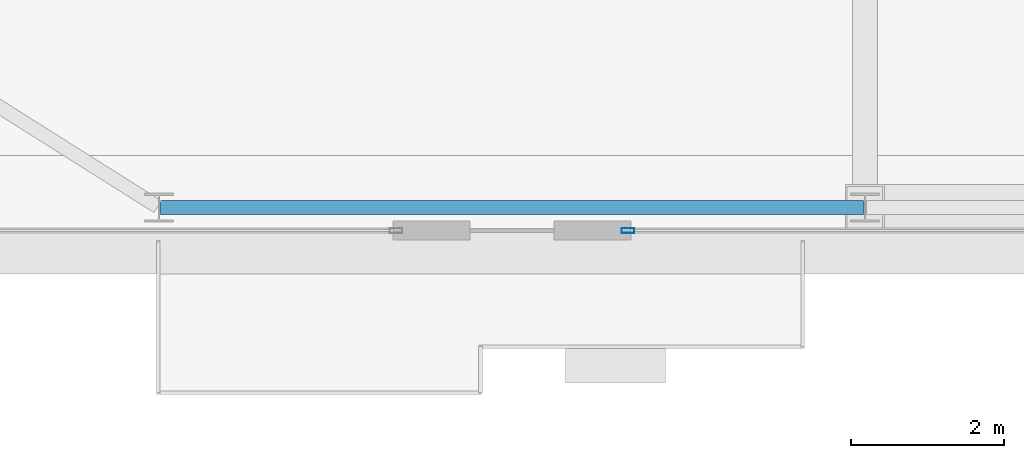
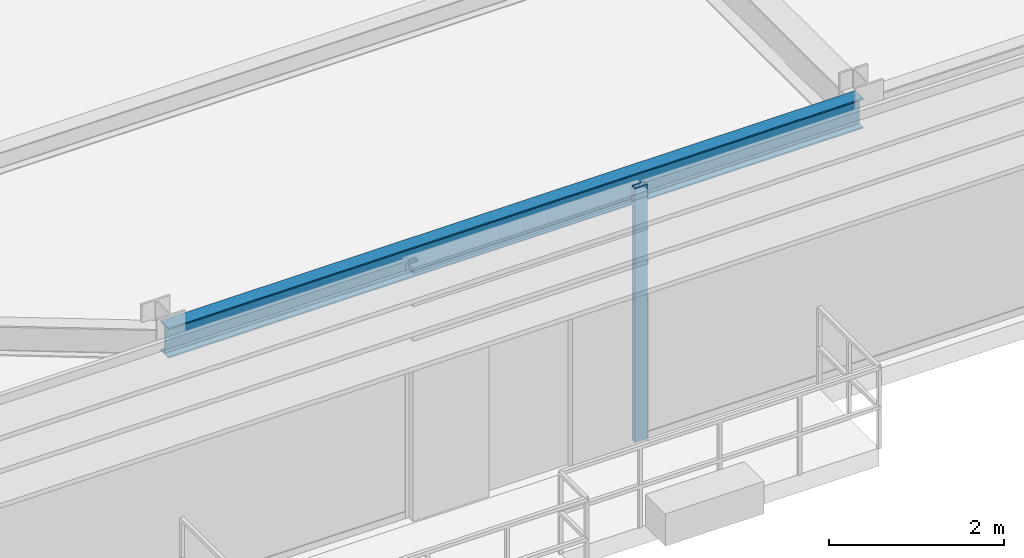
# One storey, part 6 of 32: 1 beam, 1 member, 1 element without a shape of its own.
"""IFC4 building model written with IfcOpenShell, lengths in metres."""

from ifc_helpers import new_model, si_unit, direction, frame, origin, origin_2d, place, context, subcontext, project, spatial, hollow_rectangle, i_section, extrude, source, transform, mapped, material, layer, layer_set, material_profile, profile_set, type_object, type_shapes, element, aggregate, save


model = new_model("IFC4")

# Units and contexts
model_context = context("Model", 3, precision=1e-05, world=origin(), true_north=direction((0.0, 1.0)))
body_context = subcontext(model_context, "Body", "Model", "MODEL_VIEW")
ifc_project = project(units=[si_unit("LENGTHUNIT", "METRE"), si_unit("AREAUNIT", "SQUARE_METRE"), si_unit("VOLUMEUNIT", "CUBIC_METRE"), si_unit("PLANEANGLEUNIT", "RADIAN"), si_unit("MASSUNIT", "GRAM", prefix="KILO")], contexts=[model_context])

# Site, building, storey
site_placement = place(None, origin())
site = spatial("IfcSite", under=ifc_project, at=site_placement, CompositionType="ELEMENT")
building_placement = place(site_placement, origin())
building = spatial("IfcBuilding", under=site, at=building_placement, Name="Varnel Quay Broadcast Tower", CompositionType="ELEMENT")
storey_placement = place(building_placement, frame((0.0, 0.0, 164.800048828125)))
storey = spatial("IfcBuildingStorey", under=building, at=storey_placement, Name="L40", CompositionType="ELEMENT", Elevation=164.800048828125)

# Beam
ifc_material_1 = material(Name="Structural Steel CSA G40.21 350W", Category="steel")
ifc_material_profile_1 = material_profile(ifc_material_1, i_section(OverallWidth=0.180908203125, OverallDepth=0.4169921875, WebThickness=0.010986328125, FlangeThickness=0.018310546875, FilletRadius=0.011962890625, at=origin_2d()), Name="W410X85")
ifc_profile_set_1 = profile_set([ifc_material_profile_1], Name="Structural Steel CSA G40.21 350W")
beam_type = type_object("IfcBeamType", Name="Beam_W410X85", PredefinedType="SPANDREL", material=ifc_profile_set_1)
shared_shape_1 = source(origin(), body_context, "Body", "SweptSolid", [
    extrude(i_section(OverallWidth=0.180908203125, OverallDepth=0.4169921875, WebThickness=0.010986328125, FlangeThickness=0.018310546875, FilletRadius=0.011962890625, at=origin_2d()), origin(), (0.0, 0.0, 1.0), 9.159912109375),
])
type_shapes(beam_type, [shared_shape_1])
beam_placement = place(storey_placement, frame((15.6201171875, 7.64990234375, 3.341552734375), z_axis=(1.0, 0.0, 0.0), x_axis=(0.0, 1.0, 0.0)))
element("IfcBeam", 1, at=beam_placement, inside=storey, type_object=beam_type, Name="L40 South Spandrel TC-S1-TC-S2", PredefinedType="SPANDREL", context=body_context, shape_type="MappedRepresentation", body=[
    mapped(shared_shape_1, transform((0.0, 0.0, 0.0), x_axis=(1.0, 0.0, 0.0), y_axis=(0.0, 1.0, 0.0), z_axis=(0.0, 0.0, 1.0), scale=1.0)),
])

# Curtain wall, member
ifc_material_2 = material(Name="Anodised Bronze Aluminium 6063-T6", Category="aluminium")
ifc_layer = layer(ifc_material_2, 0.18994140625, Name="Anodised Bronze Aluminium 6063-T6")
ifc_layer_set = layer_set([ifc_layer], Name="Anodised Bronze Aluminium 6063-T6")
curtain_wall_type = type_object("IfcCurtainWallType", Name="CW_UpperTower", PredefinedType="NOTDEFINED", material=ifc_layer_set)
curtain_wall_placement = place(storey_placement, origin())
curtain_wall = element("IfcCurtainWall", 2, at=curtain_wall_placement, inside=storey, type_object=curtain_wall_type, Name="L40 South Unitised Curtain Wall 2", PredefinedType="NOTDEFINED")
ifc_material_profile_2 = material_profile(ifc_material_2, hollow_rectangle(XDim=0.06494140625, YDim=0.1650390625, WallThickness=0.00341796875, at=origin_2d()), Name="ALU65X165X3.5")
ifc_profile_set_2 = profile_set([ifc_material_profile_2], Name="Anodised Bronze Aluminium 6063-T6")
member_type = type_object("IfcMemberType", Name="Mull_CWS-03", PredefinedType="MULLION", material=ifc_profile_set_2)
shared_shape_2 = source(origin(), body_context, "Body", "SweptSolid", [
    extrude(hollow_rectangle(XDim=0.06494140625, YDim=0.1650390625, WallThickness=0.00341796875, at=origin_2d()), origin(), (0.0, 0.0, 1.0), 3.550048828125),
])
type_shapes(member_type, [shared_shape_2])
member_placement = place(storey_placement, frame((21.71240234375, 7.35009765625, 0.0), z_axis=(0.0, 0.0, 1.0), x_axis=(0.0, 1.0, 0.0)))
member = element("IfcMember", 3, at=member_placement, type_object=member_type, Name="CWS-03 mullion 1", PredefinedType="MULLION", context=body_context, shape_type="MappedRepresentation", body=[
    mapped(shared_shape_2, transform((0.0, 0.0, 0.0), x_axis=(1.0, 0.0, 0.0), y_axis=(0.0, 1.0, 0.0), z_axis=(0.0, 0.0, 1.0), scale=1.0)),
])
aggregate(curtain_wall, [member])

save(model, "model.ifc")
